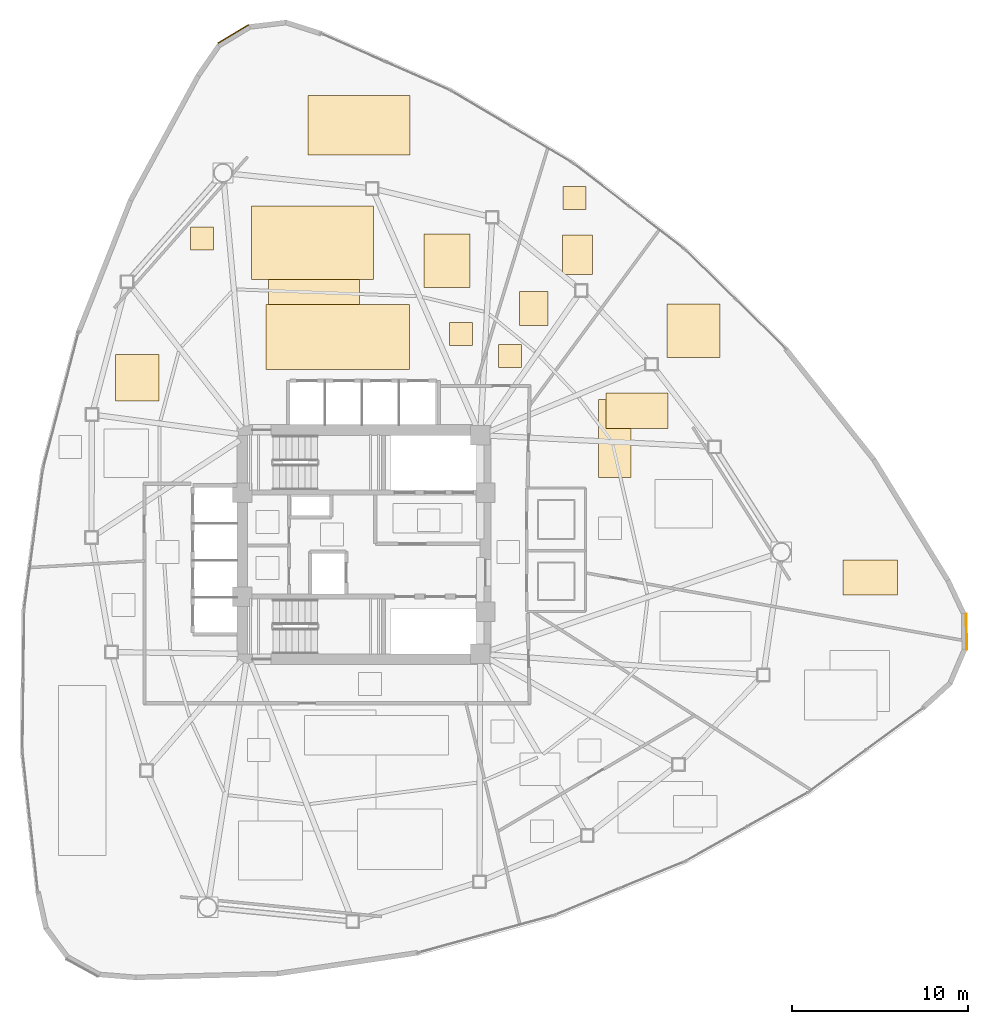
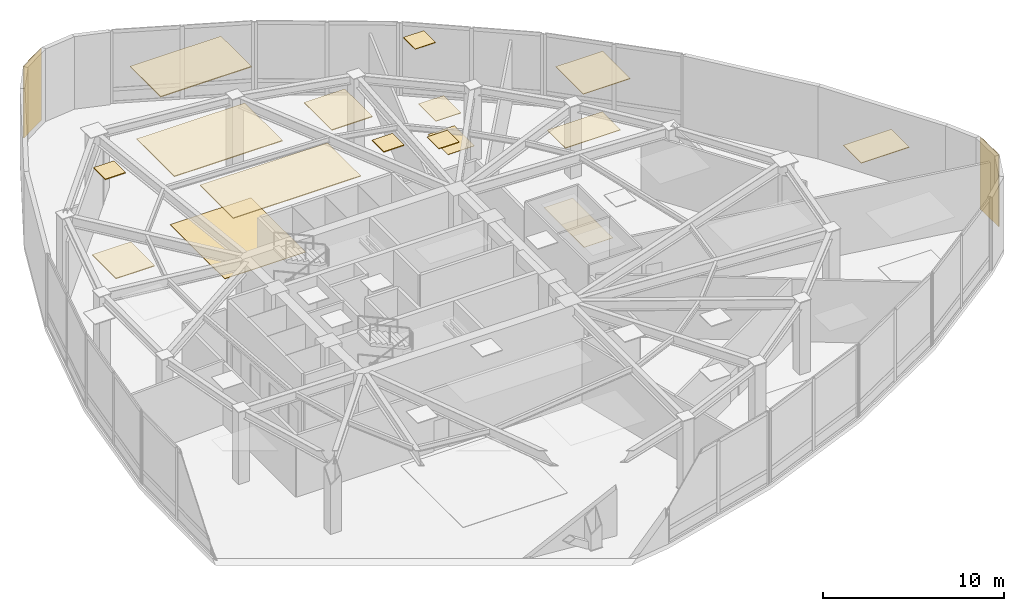
# One storey, part 14 of 14: 18 coverings.
"""IFC4 building model written with IfcOpenShell, lengths in metres."""

from ifc_helpers import new_model, si_unit, direction, frame, origin, origin_2d, place, context, subcontext, project, spatial, polyline, rectangle, outline, extrude, material, layer, layer_set, type_object, element, save


model = new_model("IFC4")

# Units and contexts
model_context = context("Model", 3, precision=1e-05, world=origin(), true_north=direction((0.0, 1.0)))
body_context = subcontext(model_context, "Body", "Model", "MODEL_VIEW")
ifc_project = project(units=[si_unit("LENGTHUNIT", "METRE"), si_unit("AREAUNIT", "SQUARE_METRE"), si_unit("VOLUMEUNIT", "CUBIC_METRE"), si_unit("PLANEANGLEUNIT", "RADIAN"), si_unit("MASSUNIT", "GRAM", prefix="KILO")], contexts=[model_context])

# Site, building, storey
site_placement = place(None, origin())
site = spatial("IfcSite", under=ifc_project, at=site_placement, CompositionType="ELEMENT")
building_placement = place(site_placement, origin())
building = spatial("IfcBuilding", under=site, at=building_placement, Name="Tavelor Broadcast Tower", CompositionType="ELEMENT")
storey_placement = place(building_placement, frame((0.0, 0.0, 110.39990234375)))
storey = spatial("IfcBuildingStorey", under=building, at=storey_placement, Name="L25", CompositionType="ELEMENT", Elevation=110.39990234375)

# Coverings
ifc_material_1 = material(Name="Copper-Bronze Anodized Aluminium", Category="aluminium")
ifc_layer_1 = layer(ifc_material_1, 0.050048828125)
ifc_layer_set_1 = layer_set([ifc_layer_1], Name="Copper-Bronze Anodized Aluminium")
covering_type_1 = type_object("IfcCoveringType", Name="Champagne-Bronze Corner Pier Metal Cladding 50 mm", PredefinedType="CLADDING", material=ifc_layer_set_1)
for number, where, z_axis, x_axis, name in (
    (1, (42.59130859375, 73.96044921875, 0.02001953125), (0.0, 0.0, 1.0), (-0.856717518865, -0.515785898285, 0.0), "L25 Champagne-Bronze Corner Cladding 03"),
    (2, (84.184814453125, 40.0537109375, 0.02001953125), (0.0, 0.0, 1.0), (-0.018324931396, 0.999832084347, 0.0), "L25 Champagne-Bronze Corner Cladding 23"),
):
    element("IfcCovering", number, at=place(storey_placement, frame(where, z_axis=z_axis, x_axis=x_axis)), inside=storey, type_object=covering_type_1, Name=name, PredefinedType="CLADDING", context=body_context, shape_type="SweptSolid", body=[
        extrude(rectangle(XDim=2.01611328125, YDim=0.050048828125, at=origin_2d()), origin(), (0.0, 0.0, 1.0), 4.860107421875),
    ])
ifc_material_2 = material(Name="Acoustic Nylon Carpet Tile")
ifc_layer_2 = layer(ifc_material_2, 0.02001953125)
ifc_layer_set_2 = layer_set([ifc_layer_2], Name="Acoustic Nylon Carpet Tile")
covering_type_2 = type_object("IfcCoveringType", Name="Heavy-Duty Acoustic Broadcast Carpet Tile 20 mm", PredefinedType="FLOORING", material=ifc_layer_set_2)
covering_1_placement = place(storey_placement, origin())
element("IfcCovering", 3, at=covering_1_placement, inside=storey, type_object=covering_type_2, Name="L25 Broadcast Floor Finish 0345", PredefinedType="FLOORING", context=body_context, shape_type="SweptSolid", body=[
    extrude(outline(polyline([(63.3134765625, 48.7978515625), (65.15869140625, 48.7978515625), (65.15869140625, 53.2333984375), (63.3134765625, 53.2333984375), (63.3134765625, 48.7978515625)])), origin(), (0.0, 0.0, 1.0), 0.02001953125),
])
covering_2_placement = place(storey_placement, origin())
element("IfcCovering", 4, at=covering_2_placement, inside=storey, type_object=covering_type_2, Name="L25 Broadcast Floor Finish 0350", PredefinedType="FLOORING", context=body_context, shape_type="SweptSolid", body=[
    extrude(outline(polyline([(61.27783203125, 60.31640625), (62.96533203125, 60.31640625), (62.96533203125, 62.55810546875), (61.27783203125, 62.55810546875), (61.27783203125, 60.31640625)])), origin(), (0.0, 0.0, 1.0), 0.02001953125),
])
ifc_material_3 = material(Name="Acoustic Hardwood Studio Flooring", Category="wood")
ifc_layer_3 = layer(ifc_material_3, 0.034912109375)
ifc_layer_set_3 = layer_set([ifc_layer_3], Name="Acoustic Hardwood Studio Flooring")
covering_type_3 = type_object("IfcCoveringType", Name="Isolated Studio Acoustic Elastomeric Floor Finish 35 mm", PredefinedType="FLOORING", material=ifc_layer_set_3)
covering_3_placement = place(storey_placement, origin())
element("IfcCovering", 5, at=covering_3_placement, inside=storey, type_object=covering_type_3, Name="L25 Broadcast Floor Finish 0349", PredefinedType="FLOORING", context=body_context, shape_type="SweptSolid", body=[
    extrude(outline(polyline([(44.57763671875, 56.10693359375), (49.740966796875, 56.10693359375), (49.740966796875, 62.144287109375), (44.57763671875, 62.144287109375), (44.57763671875, 56.10693359375)])), origin(), (0.0, 0.0, 1.0), 0.03515625),
])
ifc_material_4 = material(Name="Acoustic Perforated Timber Baffle", Category="wood")
ifc_layer_4 = layer(ifc_material_4, 0.054931640625)
ifc_layer_set_4 = layer_set([ifc_layer_4], Name="Acoustic Perforated Timber Baffle")
covering_type_4 = type_object("IfcCoveringType", Name="Micro-Perforated Acoustic Baffle Studio Ceiling 55 mm", PredefinedType="CEILING", material=ifc_layer_set_4)
covering_4_placement = place(storey_placement, frame((0.0, 0.0, 4.84521484375)))
element("IfcCovering", 6, at=covering_4_placement, inside=storey, type_object=covering_type_4, Name="L25 Suspended Acoustic Ceiling 0991", PredefinedType="CEILING", context=body_context, shape_type="SweptSolid", body=[
    extrude(outline(polyline([(35.910400390625, 53.1298828125), (38.384765625, 53.1298828125), (38.384765625, 55.776611328125), (35.910400390625, 55.776611328125), (35.910400390625, 53.1298828125)])), origin(), (0.0, 0.0, 1.0), 0.054931640625),
])
covering_5_placement = place(storey_placement, frame((0.0, 0.0, 4.84521484375)))
element("IfcCovering", 7, at=covering_5_placement, inside=storey, type_object=covering_type_4, Name="L25 Suspended Acoustic Ceiling 0992", PredefinedType="CEILING", context=body_context, shape_type="SweptSolid", body=[
    extrude(outline(polyline([(40.17724609375, 61.71240234375), (41.477294921875, 61.71240234375), (41.477294921875, 63.012451171875), (40.17724609375, 63.012451171875), (40.17724609375, 61.71240234375)])), origin(), (0.0, 0.0, 1.0), 0.054931640625),
])
covering_6_placement = place(storey_placement, frame((0.0, 0.0, 4.84521484375)))
element("IfcCovering", 8, at=covering_6_placement, inside=storey, type_object=covering_type_4, Name="L25 Suspended Acoustic Ceiling 0993", PredefinedType="CEILING", context=body_context, shape_type="SweptSolid", body=[
    extrude(outline(polyline([(43.634033203125, 60.048583984375), (50.54248046875, 60.048583984375), (50.54248046875, 64.21826171875), (43.634033203125, 64.21826171875), (43.634033203125, 60.048583984375)])), origin(), (0.0, 0.0, 1.0), 0.054931640625),
])
covering_7_placement = place(storey_placement, frame((0.0, 0.0, 4.84521484375)))
element("IfcCovering", 9, at=covering_7_placement, inside=storey, type_object=covering_type_4, Name="L25 Suspended Acoustic Ceiling 0994", PredefinedType="CEILING", context=body_context, shape_type="SweptSolid", body=[
    extrude(outline(polyline([(46.818603515625, 67.087890625), (52.62890625, 67.087890625), (52.62890625, 70.4658203125), (46.818603515625, 70.4658203125), (46.818603515625, 67.087890625)])), origin(), (0.0, 0.0, 1.0), 0.054931640625),
])
covering_8_placement = place(storey_placement, frame((0.0, 0.0, 4.84521484375)))
element("IfcCovering", 10, at=covering_8_placement, inside=storey, type_object=covering_type_4, Name="L25 Suspended Acoustic Ceiling 0995", PredefinedType="CEILING", context=body_context, shape_type="SweptSolid", body=[
    extrude(outline(polyline([(54.8583984375, 56.301025390625), (56.158447265625, 56.301025390625), (56.158447265625, 57.60107421875), (54.8583984375, 57.60107421875), (54.8583984375, 56.301025390625)])), origin(), (0.0, 0.0, 1.0), 0.054931640625),
])
covering_9_placement = place(storey_placement, frame((0.0, 0.0, 4.84521484375)))
element("IfcCovering", 11, at=covering_9_placement, inside=storey, type_object=covering_type_4, Name="L25 Suspended Acoustic Ceiling 0996", PredefinedType="CEILING", context=body_context, shape_type="SweptSolid", body=[
    extrude(outline(polyline([(44.4375, 54.9267578125), (52.588134765625, 54.9267578125), (52.588134765625, 58.60888671875), (44.4375, 58.60888671875), (44.4375, 54.9267578125)])), origin(), (0.0, 0.0, 1.0), 0.054931640625),
])
covering_10_placement = place(storey_placement, frame((0.0, 0.0, 4.84521484375)))
element("IfcCovering", 12, at=covering_10_placement, inside=storey, type_object=covering_type_4, Name="L25 Suspended Acoustic Ceiling 0998", PredefinedType="CEILING", context=body_context, shape_type="SweptSolid", body=[
    extrude(outline(polyline([(53.413818359375, 59.5693359375), (56.014404296875, 59.5693359375), (56.014404296875, 62.63037109375), (53.413818359375, 62.63037109375), (53.413818359375, 59.5693359375)])), origin(), (0.0, 0.0, 1.0), 0.054931640625),
])
ifc_material_5 = material(Name="Acoustic Mineral Fibre Tile")
ifc_layer_5 = layer(ifc_material_5, 0.0400390625)
ifc_layer_set_5 = layer_set([ifc_layer_5], Name="Acoustic Mineral Fibre Tile")
covering_type_5 = type_object("IfcCoveringType", Name="Suspended Acoustic Mineral-Fibre Office Ceiling 40 mm", PredefinedType="CEILING", material=ifc_layer_set_5)
covering_11_placement = place(storey_placement, frame((0.0, 0.0, 4.860107421875)))
element("IfcCovering", 13, at=covering_11_placement, inside=storey, type_object=covering_type_5, Name="L25 Suspended Acoustic Ceiling 0975", PredefinedType="CEILING", context=body_context, shape_type="SweptSolid", body=[
    extrude(outline(polyline([(67.197021484375, 55.606201171875), (70.202880859375, 55.606201171875), (70.202880859375, 58.655517578125), (67.197021484375, 58.655517578125), (67.197021484375, 55.606201171875)])), origin(), (0.0, 0.0, 1.0), 0.0400390625),
])
covering_12_placement = place(storey_placement, frame((0.0, 0.0, 4.860107421875)))
element("IfcCovering", 14, at=covering_12_placement, inside=storey, type_object=covering_type_5, Name="L25 Suspended Acoustic Ceiling 0976", PredefinedType="CEILING", context=body_context, shape_type="SweptSolid", body=[
    extrude(outline(polyline([(63.73876953125, 51.58544921875), (67.26220703125, 51.58544921875), (67.26220703125, 53.59423828125), (63.73876953125, 53.59423828125), (63.73876953125, 51.58544921875)])), origin(), (0.0, 0.0, 1.0), 0.0400390625),
])
covering_13_placement = place(storey_placement, frame((0.0, 0.0, 4.860107421875)))
element("IfcCovering", 15, at=covering_13_placement, inside=storey, type_object=covering_type_5, Name="L25 Suspended Acoustic Ceiling 0978", PredefinedType="CEILING", context=body_context, shape_type="SweptSolid", body=[
    extrude(outline(polyline([(77.1875, 42.1494140625), (80.260986328125, 42.1494140625), (80.260986328125, 44.136962890625), (77.1875, 44.136962890625), (77.1875, 42.1494140625)])), origin(), (0.0, 0.0, 1.0), 0.0400390625),
])
covering_14_placement = place(storey_placement, frame((0.0, 0.0, 4.860107421875)))
element("IfcCovering", 16, at=covering_14_placement, inside=storey, type_object=covering_type_5, Name="L25 Suspended Acoustic Ceiling 0999", PredefinedType="CEILING", context=body_context, shape_type="SweptSolid", body=[
    extrude(outline(polyline([(57.635986328125, 55.040283203125), (58.93603515625, 55.040283203125), (58.93603515625, 56.340087890625), (57.635986328125, 56.340087890625), (57.635986328125, 55.040283203125)])), origin(), (0.0, 0.0, 1.0), 0.0400390625),
])
covering_15_placement = place(storey_placement, frame((0.0, 0.0, 4.860107421875)))
element("IfcCovering", 17, at=covering_15_placement, inside=storey, type_object=covering_type_5, Name="L25 Suspended Acoustic Ceiling 1000", PredefinedType="CEILING", context=body_context, shape_type="SweptSolid", body=[
    extrude(outline(polyline([(58.83056640625, 57.418212890625), (60.435302734375, 57.418212890625), (60.435302734375, 59.34228515625), (58.83056640625, 59.34228515625), (58.83056640625, 57.418212890625)])), origin(), (0.0, 0.0, 1.0), 0.0400390625),
])
covering_16_placement = place(storey_placement, frame((0.0, 0.0, 4.860107421875)))
element("IfcCovering", 18, at=covering_16_placement, inside=storey, type_object=covering_type_5, Name="L25 Suspended Acoustic Ceiling 1001", PredefinedType="CEILING", context=body_context, shape_type="SweptSolid", body=[
    extrude(outline(polyline([(61.305908203125, 64.012451171875), (62.605712890625, 64.012451171875), (62.605712890625, 65.3125), (61.305908203125, 65.3125), (61.305908203125, 64.012451171875)])), origin(), (0.0, 0.0, 1.0), 0.0400390625),
])

save(model, "model.ifc")
